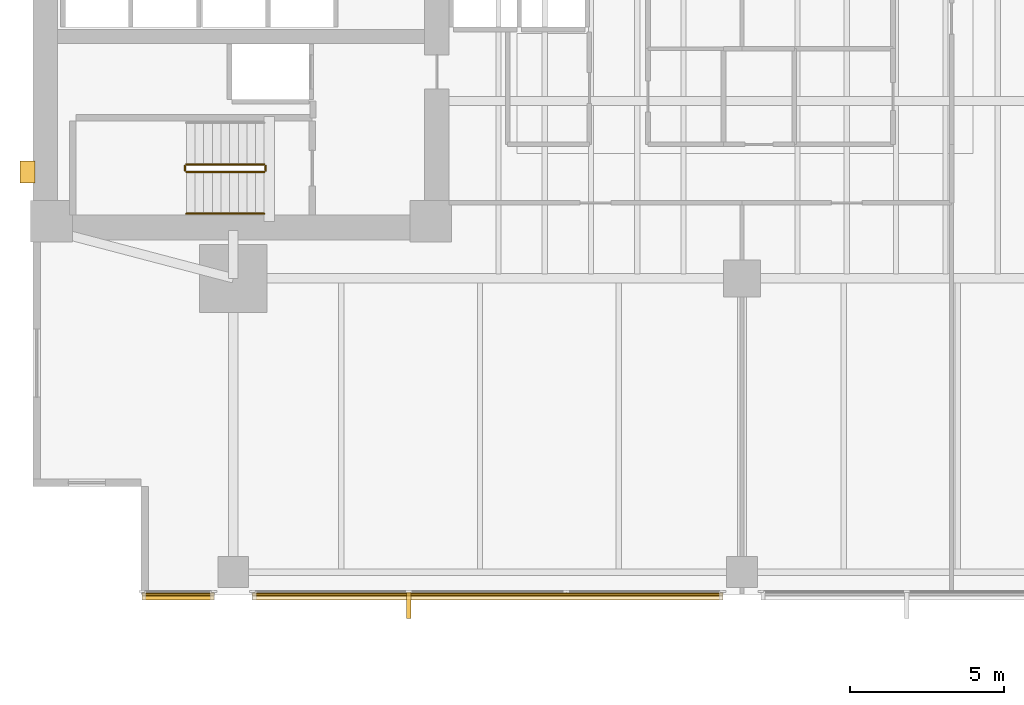
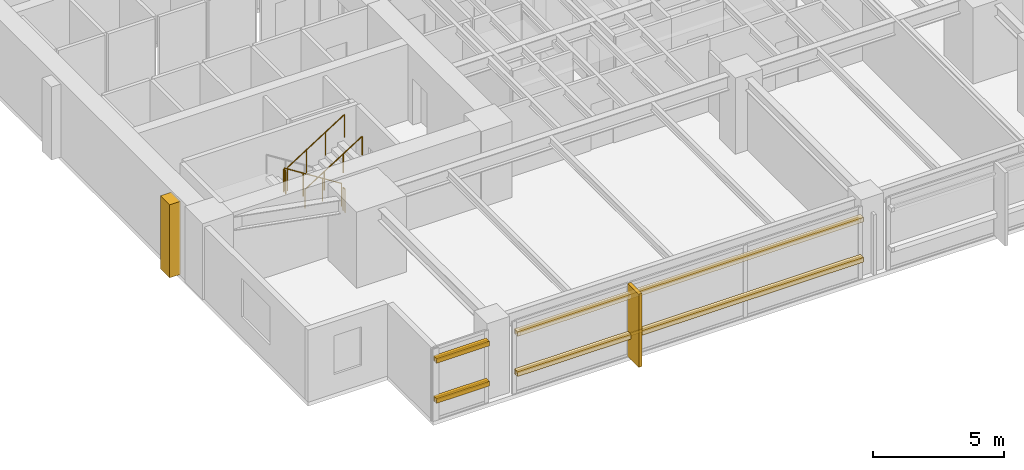
# One storey, part 12 of 15: 6 coverings, 5 railings, 4 shading devices.
"""IFC4 building model written with IfcOpenShell, lengths in metres."""

from ifc_helpers import new_model, si_unit, direction, frame, origin, origin_2d, place, context, subcontext, project, spatial, polyline, rectangle, circle, outline, extrude, material, layer, layer_set, material_profile, profile_set, type_object, element, save


model = new_model("IFC4")

# Units and contexts
model_context = context("Model", 3, precision=1e-05, world=origin(), true_north=direction((0.0, 1.0)))
body_context = subcontext(model_context, "Body", "Model", "MODEL_VIEW")
ifc_project = project(units=[si_unit("LENGTHUNIT", "METRE"), si_unit("AREAUNIT", "SQUARE_METRE"), si_unit("VOLUMEUNIT", "CUBIC_METRE"), si_unit("PLANEANGLEUNIT", "RADIAN"), si_unit("MASSUNIT", "GRAM", prefix="KILO")], contexts=[model_context])

# Site, building, storey
site_placement = place(None, origin())
site = spatial("IfcSite", under=ifc_project, at=site_placement, CompositionType="ELEMENT")
building_placement = place(site_placement, origin())
building = spatial("IfcBuilding", under=site, at=building_placement, Name="Kinhvarn Gate Tower", CompositionType="ELEMENT")
storey_placement = place(building_placement, frame((0.0, 0.0, 39.800048828125)))
storey = spatial("IfcBuildingStorey", under=building, at=storey_placement, Name="L09", CompositionType="ELEMENT", Elevation=39.800048828125)

# Coverings
ifc_material_1 = material(Name="Fired architectural terracotta", Category="masonry")
ifc_layer_1 = layer(ifc_material_1, 0.239990234375)
ifc_layer_set_1 = layer_set([ifc_layer_1], Name="Fired architectural terracotta")
covering_type_1 = type_object("IfcCoveringType", Name="COV-BAG-220", PredefinedType="CLADDING", material=ifc_layer_set_1)
for number, where, name in (
    (1, (0.0, 0.0, 0.93994140625), "Terracotta Horizontal Sunscreen Band TBG-220 (L09)"),
    (2, (0.0, 0.0, 2.81005859375), "Terracotta Horizontal Sunscreen Band TBG-220 (L09)"),
):
    element("IfcCovering", number, at=place(storey_placement, frame(where)), inside=storey, type_object=covering_type_1, Name=name, PredefinedType="CLADDING", context=body_context, shape_type="SweptSolid", body=[
        extrude(outline(polyline([(8.0400390625, 2.56005859375), (10.3798828125, 2.56005859375), (10.3798828125, 2.320068359375), (8.0400390625, 2.320068359375), (8.0400390625, 2.56005859375)])), origin(), (0.0, 0.0, 1.0), 0.219970703125),
    ])
for number, where, name in (
    (3, (0.0, 0.0, 0.93994140625), "Terracotta Horizontal Sunscreen Band TBG-220 (L09)"),
    (4, (0.0, 0.0, 2.81005859375), "Terracotta Horizontal Sunscreen Band TBG-220 (L09)"),
):
    element("IfcCovering", number, at=place(storey_placement, frame(where)), inside=storey, type_object=covering_type_1, Name=name, PredefinedType="CLADDING", context=body_context, shape_type="SweptSolid", body=[
        extrude(outline(polyline([(11.6201171875, 2.56005859375), (26.8798828125, 2.56005859375), (26.8798828125, 2.320068359375), (11.6201171875, 2.320068359375), (11.6201171875, 2.56005859375)])), origin(), (0.0, 0.0, 1.0), 0.219970703125),
    ])
ifc_layer_2 = layer(ifc_material_1, 0.139892578125)
ifc_layer_set_2 = layer_set([ifc_layer_2], Name="Fired architectural terracotta")
covering_type_2 = type_object("IfcCoveringType", Name="COV-FIN-850", PredefinedType="CLADDING", material=ifc_layer_set_2)
covering_1_placement = place(storey_placement, frame((0.0, 0.0, -0.02001953125)))
element("IfcCovering", 5, at=covering_1_placement, inside=storey, type_object=covering_type_2, Name="Vertical Terracotta Expressive Fin TFN-850 (L09)", PredefinedType="CLADDING", context=body_context, shape_type="SweptSolid", body=[
    extrude(outline(polyline([(16.623291015625, 2.570068359375), (16.76318359375, 2.570068359375), (16.76318359375, 1.719970703125), (16.623291015625, 1.719970703125), (16.623291015625, 2.570068359375)])), origin(), (0.0, 0.0, 1.0), 3.409912109375),
])
ifc_material_2 = material(Name="Precast white architectural concrete C40/50", Category="concrete")
ifc_layer_3 = layer(ifc_material_2, 0.47998046875)
ifc_layer_set_3 = layer_set([ifc_layer_3], Name="Precast white architectural concrete C40/50")
covering_type_3 = type_object("IfcCoveringType", Name="COV-RIB-450", PredefinedType="CLADDING", material=ifc_layer_set_3)
covering_2_placement = place(storey_placement, frame((0.0, 0.0, -0.02001953125)))
element("IfcCovering", 6, at=covering_2_placement, inside=storey, type_object=covering_type_3, Name="West Core Sculptural Concrete Relief Rib CRB-450 (L09)", PredefinedType="CLADDING", context=body_context, shape_type="SweptSolid", body=[
    extrude(outline(polyline([(4.080078125, 15.85009765625), (4.56005859375, 15.85009765625), (4.56005859375, 16.550048828125), (4.080078125, 16.550048828125), (4.080078125, 15.85009765625)])), origin(), (0.0, 0.0, 1.0), 3.409912109375),
])

# Railings
ifc_material_3 = material(Name="Steel S355", Category="steel")
railing_type_1 = type_object("IfcRailingType", Name="RL-ST-GRD", PredefinedType="BALUSTRADE", material=ifc_material_3)
railing_1_placement = place(storey_placement, frame((12.0, 16.449951171875, 0.177490234375)))
element("IfcRailing", 7, at=railing_1_placement, inside=storey, type_object=railing_type_1, Name="L09 ST1 stair guard 1", PredefinedType="BALUSTRADE", context=body_context, shape_type="SweptSolid", body=[
    extrude(circle(Radius=0.02392578125, at=origin_2d()), frame((0.0, 0.0, 1.076171875), z_axis=(-0.84460694969, 0.0, 0.535386869969), x_axis=(0.0, -1.0, 0.0)), (0.0, 0.0, 1.0), 2.983642578125),
    extrude(circle(Radius=0.02099609375, at=origin_2d()), origin(), (0.0, 0.0, 1.0), 1.052001953125),
    extrude(circle(Radius=0.02099609375, at=origin_2d()), frame((-0.840087890625, 0.0, 0.532470703125)), (0.0, 0.0, 1.0), 1.052001953125),
    extrude(circle(Radius=0.02099609375, at=origin_2d()), frame((-1.679931640625, 0.0, 1.06494140625)), (0.0, 0.0, 1.0), 1.052001953125),
    extrude(circle(Radius=0.02099609375, at=origin_2d()), frame((-2.52001953125, 0.0, 1.597412109375)), (0.0, 0.0, 1.0), 1.052001953125),
])
railing_2_placement = place(storey_placement, frame((9.429931640625, 16.39990234375, 1.77490234375)))
element("IfcRailing", 8, at=railing_2_placement, inside=storey, type_object=railing_type_1, Name="L09 ST1 stair guard 2", PredefinedType="BALUSTRADE", context=body_context, shape_type="SweptSolid", body=[
    extrude(circle(Radius=0.02392578125, at=origin_2d()), frame((0.0, 0.0, 1.076171875), z_axis=(0.0, -1.0, 0.0), x_axis=(1.0, 0.0, 0.0)), (0.0, 0.0, 1.0), 0.14990234375),
    extrude(circle(Radius=0.02099609375, at=origin_2d()), origin(), (0.0, 0.0, 1.0), 1.052001953125),
    extrude(circle(Radius=0.02099609375, at=origin_2d()), frame((0.0, -0.14990234375, 0.0)), (0.0, 0.0, 1.0), 1.052001953125),
])
railing_3_placement = place(storey_placement, frame((9.47998046875, 16.199951171875, 1.952392578125)))
element("IfcRailing", 9, at=railing_3_placement, inside=storey, type_object=railing_type_1, Name="L09 ST1 stair guard 3", PredefinedType="BALUSTRADE", context=body_context, shape_type="SweptSolid", body=[
    extrude(circle(Radius=0.02392578125, at=origin_2d()), frame((0.0, 0.0, 1.076171875), z_axis=(0.84456994832, 0.0, 0.535445237532), x_axis=(0.0, 1.0, 0.0)), (0.0, 0.0, 1.0), 2.98388671875),
    extrude(circle(Radius=0.02099609375, at=origin_2d()), origin(), (0.0, 0.0, 1.0), 1.052001953125),
    extrude(circle(Radius=0.02099609375, at=origin_2d()), frame((0.840087890625, 0.0, 0.532470703125)), (0.0, 0.0, 1.0), 1.052001953125),
    extrude(circle(Radius=0.02099609375, at=origin_2d()), frame((1.679931640625, 0.0, 1.065185546875)), (0.0, 0.0, 1.0), 1.052001953125),
    extrude(circle(Radius=0.02099609375, at=origin_2d()), frame((2.52001953125, 0.0, 1.59765625)), (0.0, 0.0, 1.0), 1.052001953125),
])
railing_4_placement = place(storey_placement, frame((12.050048828125, 16.39990234375, 0.0)))
element("IfcRailing", 10, at=railing_4_placement, inside=storey, type_object=railing_type_1, Name="L09 ST1 stair guard 4", PredefinedType="BALUSTRADE", context=body_context, shape_type="SweptSolid", body=[
    extrude(circle(Radius=0.02392578125, at=origin_2d()), frame((0.0, 0.0, 1.076171875), z_axis=(0.0, -1.0, 0.0), x_axis=(1.0, 0.0, 0.0)), (0.0, 0.0, 1.0), 0.14990234375),
    extrude(circle(Radius=0.02099609375, at=origin_2d()), origin(), (0.0, 0.0, 1.0), 1.052001953125),
    extrude(circle(Radius=0.02099609375, at=origin_2d()), frame((0.0, -0.14990234375, 0.0)), (0.0, 0.0, 1.0), 1.052001953125),
])
railing_type_2 = type_object("IfcRailingType", Name="RL-ST-HND", PredefinedType="HANDRAIL", material=ifc_material_3)
railing_5_placement = place(storey_placement, frame((9.47998046875, 14.85009765625, 1.952392578125)))
element("IfcRailing", 11, at=railing_5_placement, inside=storey, type_object=railing_type_2, Name="L09 ST1 stair handrail 2", PredefinedType="HANDRAIL", context=body_context, shape_type="SweptSolid", body=[
    extrude(circle(Radius=0.02392578125, at=origin_2d()), frame((0.0, 0.0, 0.8759765625), z_axis=(0.84456994832, 0.0, 0.535445237532), x_axis=(0.0, 1.0, 0.0)), (0.0, 0.0, 1.0), 2.98388671875),
    extrude(circle(Radius=0.02099609375, at=origin_2d()), origin(), (0.0, 0.0, 1.0), 0.851806640625),
    extrude(circle(Radius=0.02099609375, at=origin_2d()), frame((0.840087890625, 0.0, 0.532470703125)), (0.0, 0.0, 1.0), 0.851806640625),
    extrude(circle(Radius=0.02099609375, at=origin_2d()), frame((1.679931640625, 0.0, 1.065185546875)), (0.0, 0.0, 1.0), 0.851806640625),
    extrude(circle(Radius=0.02099609375, at=origin_2d()), frame((2.52001953125, 0.0, 1.59765625)), (0.0, 0.0, 1.0), 0.851806640625),
])

# Shading devices
ifc_material_profile = material_profile(ifc_material_1, rectangle(XDim=0.06005859375, YDim=0.139892578125, at=origin_2d()), Name="TC 60x140")
ifc_profile_set = profile_set([ifc_material_profile], Name="Fired architectural terracotta")
shading_device_type = type_object("IfcShadingDeviceType", Name="SHD-BAG-180", PredefinedType="USERDEFINED", material=ifc_profile_set)
for number, where, z_axis, x_axis, name in (
    (12, (8.0400390625, 2.485107421875, 1.050048828125), (1.0, 0.0, 0.0), (0.0, 1.0, 0.0), "Fired Terracotta Baguette Screen Rod 60x140 mm (L09)"),
    (13, (8.0400390625, 2.485107421875, 2.919921875), (1.0, 0.0, 0.0), (0.0, 1.0, 0.0), "Fired Terracotta Baguette Screen Rod 60x140 mm (L09)"),
):
    element("IfcShadingDevice", number, at=place(storey_placement, frame(where, z_axis=z_axis, x_axis=x_axis)), inside=storey, type_object=shading_device_type, Name=name, ObjectType="BAGUETTE", PredefinedType="USERDEFINED", context=body_context, shape_type="SweptSolid", body=[
        extrude(rectangle(XDim=0.06005859375, YDim=0.139892578125, at=origin_2d()), origin(), (0.0, 0.0, 1.0), 2.33984375),
    ])
for number, where, z_axis, x_axis, name in (
    (14, (11.6201171875, 2.485107421875, 1.050048828125), (1.0, 0.0, 0.0), (0.0, 1.0, 0.0), "Fired Terracotta Baguette Screen Rod 60x140 mm (L09)"),
    (15, (11.6201171875, 2.485107421875, 2.919921875), (1.0, 0.0, 0.0), (0.0, 1.0, 0.0), "Fired Terracotta Baguette Screen Rod 60x140 mm (L09)"),
):
    element("IfcShadingDevice", number, at=place(storey_placement, frame(where, z_axis=z_axis, x_axis=x_axis)), inside=storey, type_object=shading_device_type, Name=name, ObjectType="BAGUETTE", PredefinedType="USERDEFINED", context=body_context, shape_type="SweptSolid", body=[
        extrude(rectangle(XDim=0.06005859375, YDim=0.139892578125, at=origin_2d()), origin(), (0.0, 0.0, 1.0), 15.259765625),
    ])

save(model, "model.ifc")
